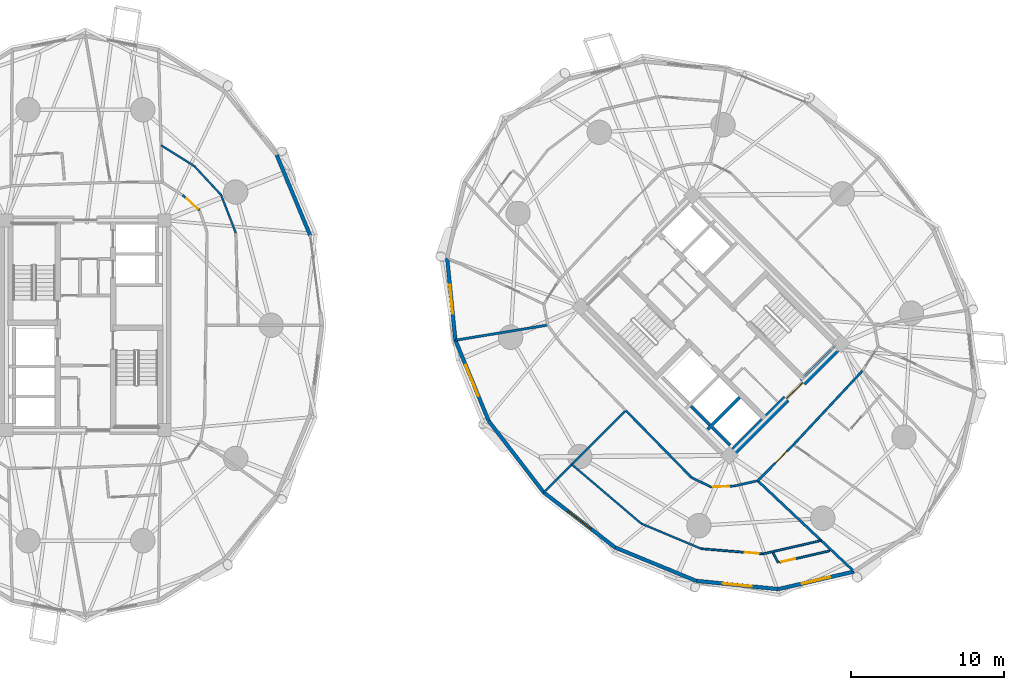
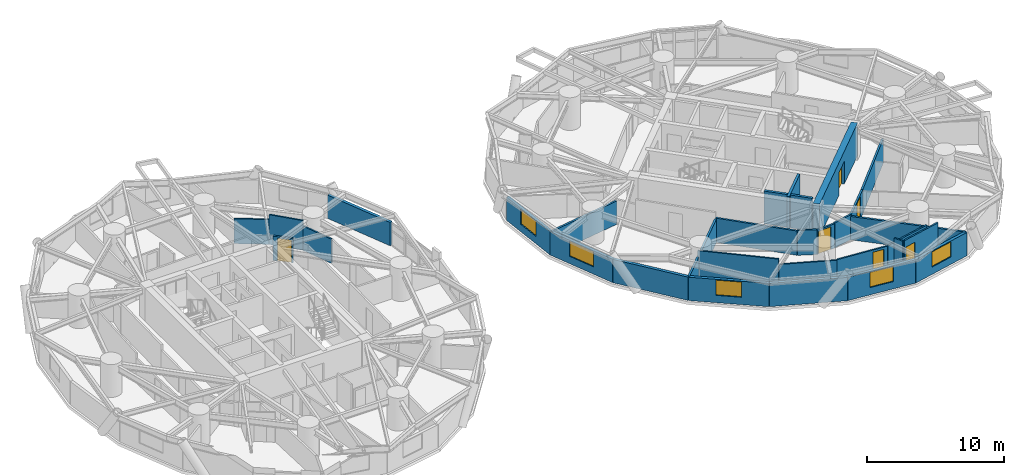
# One storey, part 12 of 18: 31 walls, 6 doors, 5 windows, 11 openings.
"""IFC4 building model written with IfcOpenShell, lengths in metres."""

from ifc_helpers import new_model, si_unit, direction, frame, frame_2d, origin, place, context, subcontext, project, spatial, rectangle, extrude, source, transform, mapped, material, layer, layer_set, type_object, element, fill, save


model = new_model("IFC4")

# Units and contexts
model_context = context("Model", 3, precision=1e-05, world=origin(), true_north=direction((0.0, 1.0)))
body_context = subcontext(model_context, "Body", "Model", "MODEL_VIEW")
ifc_project = project(units=[si_unit("LENGTHUNIT", "METRE"), si_unit("AREAUNIT", "SQUARE_METRE"), si_unit("VOLUMEUNIT", "CUBIC_METRE"), si_unit("PLANEANGLEUNIT", "RADIAN"), si_unit("MASSUNIT", "GRAM", prefix="KILO")], contexts=[model_context])

# Site, building, storey
site_placement = place(None, origin())
site = spatial("IfcSite", under=ifc_project, at=site_placement, CompositionType="ELEMENT")
building_placement = place(site_placement, origin())
building = spatial("IfcBuilding", under=site, at=building_placement, Name="Cununo Teusaquillo Station Towers", CompositionType="ELEMENT")
storey_placement = place(building_placement, frame((0.0, 0.0, 45.280029296875)))
storey = spatial("IfcBuildingStorey", under=building, at=storey_placement, Name="L13", CompositionType="ELEMENT", Elevation=45.280029296875)

# Walls
ifc_material_1 = material(Name="Concrete C50/60", Category="concrete")
ifc_layer_1 = layer(ifc_material_1, 0.199951171875)
ifc_layer_set_1 = layer_set([ifc_layer_1], Name="Concrete C50/60")
wall_type_1 = type_object("IfcWallType", Name="WL-CORE-200", PredefinedType="SHEAR", material=ifc_layer_set_1)
wall_1_placement = place(storey_placement, frame((57.2841796875, 17.6728515625, 0.0), z_axis=(0.0, 0.0, 1.0), x_axis=(0.707147878904, 0.70706568108, 0.0)))
element("IfcWall", 1, at=wall_1_placement, inside=storey, type_object=wall_type_1, Name="L13 Tower B High-Rise Lift Hoistway Divider Shear Wall", PredefinedType="SHEAR", context=body_context, shape_type="SweptSolid", body=[
    extrude(rectangle(XDim=2.97021484375, YDim=0.199951171875, at=frame_2d((1.485107421875, 0.0))), origin(), (0.0, 0.0, 1.0), 2.909912109375),
])
wall_2_placement = place(storey_placement, frame((57.41162109375, 17.969970703125, 0.0), z_axis=(0.0, 0.0, 1.0), x_axis=(-0.707106781187, 0.707106781187, 0.0)))
element("IfcWall", 2, at=wall_2_placement, inside=storey, type_object=wall_type_1, Name="L13 Tower B High-Rise Lift 2 Shaft Rear Shear Wall", PredefinedType="SHEAR", context=body_context, shape_type="SweptSolid", body=[
    extrude(rectangle(XDim=1.73486328125, YDim=0.199951171875, at=frame_2d((0.867431640625, 0.0))), origin(), (0.0, 0.0, 1.0), 2.909912109375),
])
wall_3_placement = place(storey_placement, frame((58.7373046875, 16.64404296875, 0.0), z_axis=(0.0, 0.0, 1.0), x_axis=(-0.707032117043, 0.707181437447, 0.0)))
element("IfcWall", 3, at=wall_3_placement, inside=storey, type_object=wall_type_1, Name="L13 Tower B High-Rise Lift 1 Shaft Rear Shear Wall", PredefinedType="SHEAR", context=body_context, shape_type="SweptSolid", body=[
    extrude(rectangle(XDim=1.635009765625, YDim=0.199951171875, at=frame_2d((0.8173828125, 0.0))), origin(), (0.0, 0.0, 1.0), 2.909912109375),
])

# Wall, opening, door
ifc_material_2 = material(Name="Concrete C60/75", Category="concrete")
ifc_layer_2 = layer(ifc_material_2, 0.5)
ifc_layer_set_2 = layer_set([ifc_layer_2], Name="Concrete C60/75")
wall_type_2 = type_object("IfcWallType", Name="WL-CORE-500", PredefinedType="SHEAR", material=ifc_layer_set_2)
wall_4_placement = place(storey_placement, frame((58.595947265625, 15.837890625, 0.0), z_axis=(0.0, 0.0, 1.0), x_axis=(0.707106781187, 0.707106781187, 0.0)))
wall_4 = element("IfcWall", 4, at=wall_4_placement, inside=storey, type_object=wall_type_2, Name="L13 Tower B Core Shear Wall S", PredefinedType="SHEAR", context=body_context, shape_type="SweptSolid", body=[
    extrude(rectangle(XDim=10.7001953125, YDim=0.5, at=frame_2d((5.35009765625, 0.0))), origin(), (0.0, 0.0, 1.0), 2.909912109375),
])
shared_shape_1 = source(origin(), body_context, "Body", "SweptSolid", [
    extrude(rectangle(XDim=1.5, YDim=2.02001953125, at=frame_2d((0.75, 1.010009765625))), frame((0.0, 0.260009765625, 0.0), z_axis=(0.0, -1.0, 0.0), x_axis=(1.0, 0.0, 0.0)), (0.0, 0.0, 1.0), 0.52001953125),
])
opening_1_placement = place(wall_4_placement, frame((5.449951171875, 0.0, 0.0)))
opening_1 = element("IfcOpeningElement", 5, at=opening_1_placement, cuts=wall_4, Name="Opening D-LB1", PredefinedType="OPENING", context=body_context, shape_type="MappedRepresentation", body=[
    mapped(shared_shape_1, transform((0.0, 0.0, 0.0), x_axis=(1.0, 0.0, 0.0), y_axis=(0.0, 1.0, 0.0), z_axis=(0.0, 0.0, 1.0), scale=1.0)),
])
ifc_material_3 = material(Name="Galvanised fire-rated hollow steel door assembly", Category="steel")
door_type_1 = type_object("IfcDoorType", Name="DR-LOBBY-1500", OperationType="DOUBLE_DOOR_SINGLE_SWING", PredefinedType="DOOR", material=ifc_material_3)
shared_shape_2 = source(origin(), body_context, "Body", "SweptSolid", [
    extrude(rectangle(XDim=1.5, YDim=2.02001953125, at=frame_2d((0.75, 1.010009765625))), frame((0.0, 0.02490234375, 0.0), z_axis=(0.0, -1.0, 0.0), x_axis=(1.0, 0.0, 0.0)), (0.0, 0.0, 1.0), 0.050048828125),
])
door_1_placement = place(opening_1_placement, origin())
door_1 = element("IfcDoor", 6, at=door_1_placement, inside=storey, type_object=door_type_1, Name="L13 Tower B South Core Lift Lobby Door", OperationType="DOUBLE_DOOR_SINGLE_SWING", OverallHeight=2.02001953125, OverallWidth=1.5, PredefinedType="DOOR", context=body_context, shape_type="MappedRepresentation", body=[
    mapped(shared_shape_2, transform((0.0, 0.0, 0.0), x_axis=(1.0, 0.0, 0.0), y_axis=(0.0, 1.0, 0.0), z_axis=(0.0, 0.0, 1.0), scale=1.0)),
])
fill(opening_1, door_1)

# Wall
ifc_material_4 = material(Name="Precast concrete C40/50", Category="concrete")
ifc_layer_3 = layer(ifc_material_4, 0.239990234375)
ifc_layer_set_3 = layer_set([ifc_layer_3], Name="Precast concrete C40/50")
wall_type_3 = type_object("IfcWallType", Name="WL-EXT-240", PredefinedType="SOLIDWALL", material=ifc_layer_set_3)
wall_5_placement = place(storey_placement, frame((29.0390625, 35.650390625, 0.0), z_axis=(0.0, 0.0, 1.0), x_axis=(0.38430970593, -0.923204229804, 0.0)))
element("IfcWall", 7, at=wall_5_placement, inside=storey, type_object=wall_type_3, Name="L13 Tower A Exterior Facade Wall C01", PredefinedType="SOLIDWALL", context=body_context, shape_type="SweptSolid", body=[
    extrude(rectangle(XDim=5.728271484375, YDim=0.239990234375, at=frame_2d((2.8642578125, 0.0))), origin(), (0.0, 0.0, 1.0), 2.072998046875),
])

# Wall, opening, window
wall_6_placement = place(storey_placement, frame((40.7490234375, 23.51806640625, 0.0), z_axis=(0.0, 0.0, 1.0), x_axis=(-0.100190592135, 0.994968263437, 0.0)))
wall_6 = element("IfcWall", 8, at=wall_6_placement, inside=storey, type_object=wall_type_3, Name="L13 Tower B Exterior Facade Wall C07", PredefinedType="SOLIDWALL", context=body_context, shape_type="SweptSolid", body=[
    extrude(rectangle(XDim=5.41943359375, YDim=0.239990234375, at=frame_2d((2.709716796875, 0.0))), origin(), (0.0, 0.0, 1.0), 2.072998046875),
])
shared_shape_3 = source(origin(), body_context, "Body", "SweptSolid", [
    extrude(rectangle(XDim=1.89990234375, YDim=1.35009765625, at=frame_2d((0.949951171875, 0.675048828125))), frame((0.0, 0.1298828125, 0.0), z_axis=(0.0, -1.0, 0.0), x_axis=(1.0, 0.0, 0.0)), (0.0, 0.0, 1.0), 0.260009765625),
])
opening_2_placement = place(wall_6_placement, frame((1.760009765625, 0.0, 0.64990234375)))
opening_2 = element("IfcOpeningElement", 9, at=opening_2_placement, cuts=wall_6, Name="Opening WN-02", PredefinedType="OPENING", context=body_context, shape_type="MappedRepresentation", body=[
    mapped(shared_shape_3, transform((0.0, 0.0, 0.0), x_axis=(1.0, 0.0, 0.0), y_axis=(0.0, 1.0, 0.0), z_axis=(0.0, 0.0, 1.0), scale=1.0)),
])
ifc_material_5 = material(Name="Operable acoustic tinted low-E double glazing", Category="glass")
window_type_1 = type_object("IfcWindowType", Name="WIN-OPER-1900", PartitioningType="DOUBLE_PANEL_VERTICAL", PredefinedType="WINDOW", material=ifc_material_5)
shared_shape_4 = source(origin(), body_context, "Body", "SweptSolid", [
    extrude(rectangle(XDim=1.89990234375, YDim=1.35009765625, at=frame_2d((0.949951171875, 0.675048828125))), frame((0.0, 0.030029296875, 0.0), z_axis=(0.0, -1.0, 0.0), x_axis=(1.0, 0.0, 0.0)), (0.0, 0.0, 1.0), 0.06005859375),
])
window_1_placement = place(opening_2_placement, origin())
window_1 = element("IfcWindow", 10, at=window_1_placement, inside=storey, type_object=window_type_1, Name="L13 Tower B Facade Window C07", OverallHeight=1.35009765625, OverallWidth=1.89990234375, PartitioningType="DOUBLE_PANEL_VERTICAL", PredefinedType="WINDOW", context=body_context, shape_type="MappedRepresentation", body=[
    mapped(shared_shape_4, transform((0.0, 0.0, 0.0), x_axis=(1.0, 0.0, 0.0), y_axis=(0.0, 1.0, 0.0), z_axis=(0.0, 0.0, 1.0), scale=1.0)),
])
fill(opening_2, window_1)

wall_7_placement = place(storey_placement, frame((42.931884765625, 18.22216796875, 0.0), z_axis=(0.0, 0.0, 1.0), x_axis=(-0.381077764176, 0.924542988536, 0.0)))
wall_7 = element("IfcWall", 11, at=wall_7_placement, inside=storey, type_object=wall_type_3, Name="L13 Tower B Exterior Facade Wall C08", PredefinedType="SOLIDWALL", context=body_context, shape_type="SweptSolid", body=[
    extrude(rectangle(XDim=5.72802734375, YDim=0.239990234375, at=frame_2d((2.864013671875, 0.0))), origin(), (0.0, 0.0, 1.0), 2.072998046875),
])
shared_shape_5 = source(origin(), body_context, "Body", "SweptSolid", [
    extrude(rectangle(XDim=2.199951171875, YDim=1.35009765625, at=frame_2d((1.10009765625, 0.675048828125))), frame((0.0, 0.1298828125, 0.0), z_axis=(0.0, -1.0, 0.0), x_axis=(1.0, 0.0, 0.0)), (0.0, 0.0, 1.0), 0.260009765625),
])
opening_3_placement = place(wall_7_placement, frame((1.763916015625, 0.0, 0.64990234375)))
opening_3 = element("IfcOpeningElement", 12, at=opening_3_placement, cuts=wall_7, Name="Opening WN-01", PredefinedType="OPENING", context=body_context, shape_type="MappedRepresentation", body=[
    mapped(shared_shape_5, transform((0.0, 0.0, 0.0), x_axis=(1.0, 0.0, 0.0), y_axis=(0.0, 1.0, 0.0), z_axis=(0.0, 0.0, 1.0), scale=1.0)),
])
ifc_material_6 = material(Name="Ceramic-fritted dark low-E double glazing", Category="glass")
window_type_2 = type_object("IfcWindowType", Name="WIN-FRIT-2200", PartitioningType="DOUBLE_PANEL_VERTICAL", PredefinedType="WINDOW", material=ifc_material_6)
shared_shape_6 = source(origin(), body_context, "Body", "SweptSolid", [
    extrude(rectangle(XDim=2.199951171875, YDim=1.35009765625, at=frame_2d((1.10009765625, 0.675048828125))), frame((0.0, 0.030029296875, 0.0), z_axis=(0.0, -1.0, 0.0), x_axis=(1.0, 0.0, 0.0)), (0.0, 0.0, 1.0), 0.06005859375),
])
window_2_placement = place(opening_3_placement, origin())
window_2 = element("IfcWindow", 13, at=window_2_placement, inside=storey, type_object=window_type_2, Name="L13 Tower B Facade Window C08", OverallHeight=1.35009765625, OverallWidth=2.199951171875, PartitioningType="DOUBLE_PANEL_VERTICAL", PredefinedType="WINDOW", context=body_context, shape_type="MappedRepresentation", body=[
    mapped(shared_shape_6, transform((0.0, 0.0, 0.0), x_axis=(1.0, 0.0, 0.0), y_axis=(0.0, 1.0, 0.0), z_axis=(0.0, 0.0, 1.0), scale=1.0)),
])
fill(opening_3, window_2)

# Wall
wall_8_placement = place(storey_placement, frame((46.54052734375, 13.54052734375, 0.0), z_axis=(0.0, 0.0, 1.0), x_axis=(-0.610494906082, 0.792020182601, 0.0)))
element("IfcWall", 14, at=wall_8_placement, inside=storey, type_object=wall_type_3, Name="L13 Tower B Exterior Facade Wall C09", PredefinedType="SOLIDWALL", context=body_context, shape_type="SweptSolid", body=[
    extrude(rectangle(XDim=5.9111328125, YDim=0.239990234375, at=frame_2d((2.95556640625, 0.0))), origin(), (0.0, 0.0, 1.0), 2.072998046875),
])

# Wall, opening, window
wall_9_placement = place(storey_placement, frame((51.22216796875, 9.931884765625, 0.0), z_axis=(0.0, 0.0, 1.0), x_axis=(-0.792020182601, 0.610494906082, 0.0)))
wall_9 = element("IfcWall", 15, at=wall_9_placement, inside=storey, type_object=wall_type_3, Name="L13 Tower B Exterior Facade Wall C10", PredefinedType="SOLIDWALL", context=body_context, shape_type="SweptSolid", body=[
    extrude(rectangle(XDim=5.9111328125, YDim=0.239990234375, at=frame_2d((2.95556640625, 0.0))), origin(), (0.0, 0.0, 1.0), 2.072998046875),
])
opening_4_placement = place(wall_9_placement, frame((2.0048828125, 0.0, 0.64990234375)))
opening_4 = element("IfcOpeningElement", 16, at=opening_4_placement, cuts=wall_9, Name="Opening WN-02", PredefinedType="OPENING", context=body_context, shape_type="MappedRepresentation", body=[
    mapped(shared_shape_3, transform((0.0, 0.0, 0.0), x_axis=(1.0, 0.0, 0.0), y_axis=(0.0, 1.0, 0.0), z_axis=(0.0, 0.0, 1.0), scale=1.0)),
])
window_3_placement = place(opening_4_placement, origin())
window_3 = element("IfcWindow", 17, at=window_3_placement, inside=storey, type_object=window_type_1, Name="L13 Tower B Facade Window C10", OverallHeight=1.35009765625, OverallWidth=1.89990234375, PartitioningType="DOUBLE_PANEL_VERTICAL", PredefinedType="WINDOW", context=body_context, shape_type="MappedRepresentation", body=[
    mapped(shared_shape_4, transform((0.0, 0.0, 0.0), x_axis=(1.0, 0.0, 0.0), y_axis=(0.0, 1.0, 0.0), z_axis=(0.0, 0.0, 1.0), scale=1.0)),
])
fill(opening_4, window_3)

# Wall
wall_10_placement = place(storey_placement, frame((56.51806640625, 7.7490234375, 0.0), z_axis=(0.0, 0.0, 1.0), x_axis=(-0.924542988536, 0.381077764176, 0.0)))
element("IfcWall", 18, at=wall_10_placement, inside=storey, type_object=wall_type_3, Name="L13 Tower B Exterior Facade Wall C11", PredefinedType="SOLIDWALL", context=body_context, shape_type="SweptSolid", body=[
    extrude(rectangle(XDim=5.72802734375, YDim=0.239990234375, at=frame_2d((2.864013671875, 0.0))), origin(), (0.0, 0.0, 1.0), 2.072998046875),
])

# Wall, opening, window
wall_11_placement = place(storey_placement, frame((61.91015625, 7.2060546875, 0.0), z_axis=(0.0, 0.0, 1.0), x_axis=(-0.994968263437, 0.100190592135, 0.0)))
wall_11 = element("IfcWall", 19, at=wall_11_placement, inside=storey, type_object=wall_type_3, Name="L13 Tower B Exterior Facade Wall C12", PredefinedType="SOLIDWALL", context=body_context, shape_type="SweptSolid", body=[
    extrude(rectangle(XDim=5.41943359375, YDim=0.239990234375, at=frame_2d((2.709716796875, 0.0))), origin(), (0.0, 0.0, 1.0), 2.072998046875),
])
opening_5_placement = place(wall_11_placement, frame((1.760009765625, 0.0, 0.64990234375)))
opening_5 = element("IfcOpeningElement", 20, at=opening_5_placement, cuts=wall_11, Name="Opening WN-02", PredefinedType="OPENING", context=body_context, shape_type="MappedRepresentation", body=[
    mapped(shared_shape_3, transform((0.0, 0.0, 0.0), x_axis=(1.0, 0.0, 0.0), y_axis=(0.0, 1.0, 0.0), z_axis=(0.0, 0.0, 1.0), scale=1.0)),
])
window_4_placement = place(opening_5_placement, origin())
window_4 = element("IfcWindow", 21, at=window_4_placement, inside=storey, type_object=window_type_1, Name="L13 Tower B Facade Window C12", OverallHeight=1.35009765625, OverallWidth=1.89990234375, PartitioningType="DOUBLE_PANEL_VERTICAL", PredefinedType="WINDOW", context=body_context, shape_type="MappedRepresentation", body=[
    mapped(shared_shape_4, transform((0.0, 0.0, 0.0), x_axis=(1.0, 0.0, 0.0), y_axis=(0.0, 1.0, 0.0), z_axis=(0.0, 0.0, 1.0), scale=1.0)),
])
fill(opening_5, window_4)

wall_12_placement = place(storey_placement, frame((66.87060546875, 8.35595703125, 0.0), z_axis=(0.0, 0.0, 1.0), x_axis=(-0.974167686491, -0.22582585901, 0.0)))
wall_12 = element("IfcWall", 22, at=wall_12_placement, inside=storey, type_object=wall_type_3, Name="L13 Tower B Exterior Facade Wall C13", PredefinedType="SOLIDWALL", context=body_context, shape_type="SweptSolid", body=[
    extrude(rectangle(XDim=5.092041015625, YDim=0.239990234375, at=frame_2d((2.5458984375, 0.0))), origin(), (0.0, 0.0, 1.0), 2.072998046875),
])
opening_6_placement = place(wall_12_placement, frame((1.595947265625, 0.0, 0.64990234375)))
opening_6 = element("IfcOpeningElement", 23, at=opening_6_placement, cuts=wall_12, Name="Opening WN-02", PredefinedType="OPENING", context=body_context, shape_type="MappedRepresentation", body=[
    mapped(shared_shape_3, transform((0.0, 0.0, 0.0), x_axis=(1.0, 0.0, 0.0), y_axis=(0.0, 1.0, 0.0), z_axis=(0.0, 0.0, 1.0), scale=1.0)),
])
window_5_placement = place(opening_6_placement, origin())
window_5 = element("IfcWindow", 24, at=window_5_placement, inside=storey, type_object=window_type_1, Name="L13 Tower B Facade Window C13", OverallHeight=1.35009765625, OverallWidth=1.89990234375, PartitioningType="DOUBLE_PANEL_VERTICAL", PredefinedType="WINDOW", context=body_context, shape_type="MappedRepresentation", body=[
    mapped(shared_shape_4, transform((0.0, 0.0, 0.0), x_axis=(1.0, 0.0, 0.0), y_axis=(0.0, 1.0, 0.0), z_axis=(0.0, 0.0, 1.0), scale=1.0)),
])
fill(opening_6, window_5)

# Walls
ifc_material_7 = material(Name="Fire-rated gypsum plasterboard partition assembly", Category="gypsum")
ifc_layer_4 = layer(ifc_material_7, 0.125)
ifc_layer_set_4 = layer_set([ifc_layer_4], Name="Fire-rated gypsum plasterboard partition assembly")
wall_type_4 = type_object("IfcWallType", Name="WL-PART-125", PredefinedType="PARTITIONING", material=ifc_layer_set_4)
wall_13_placement = place(storey_placement, frame((26.359619140625, 30.541748046875, 0.0), z_axis=(0.0, 0.0, 1.0), x_axis=(-0.361464762384, 0.932385770781, 0.0)))
element("IfcWall", 25, at=wall_13_placement, inside=storey, type_object=wall_type_4, Name="L13 Tower A Hotel Grand Dining & Tea Lounge Concentric Partition Wall C01", PredefinedType="PARTITIONING", context=body_context, shape_type="SweptSolid", body=[
    extrude(rectangle(XDim=2.67724609375, YDim=0.125, at=frame_2d((1.338623046875, 0.0))), origin(), (0.0, 0.0, 1.0), 2.158935546875),
])
wall_14_placement = place(storey_placement, frame((25.391845703125, 33.0380859375, 0.0), z_axis=(0.0, 0.0, 1.0), x_axis=(-0.67989141147, 0.733312804068, 0.0)))
element("IfcWall", 26, at=wall_14_placement, inside=storey, type_object=wall_type_4, Name="L13 Tower A Hotel Grand Dining & Tea Lounge Concentric Partition Wall C02", PredefinedType="PARTITIONING", context=body_context, shape_type="SweptSolid", body=[
    extrude(rectangle(XDim=2.57763671875, YDim=0.125, at=frame_2d((1.288818359375, 0.0))), origin(), (0.0, 0.0, 1.0), 2.635009765625),
])
wall_15_placement = place(storey_placement, frame((23.639404296875, 34.92822265625, 0.0), z_axis=(0.0, 0.0, 1.0), x_axis=(-0.847294097071, 0.531124009125, 0.0)))
element("IfcWall", 27, at=wall_15_placement, inside=storey, type_object=wall_type_4, Name="L13 Tower A Hotel Grand Dining & Tea Lounge Concentric Partition Wall C03", PredefinedType="PARTITIONING", context=body_context, shape_type="SweptSolid", body=[
    extrude(rectangle(XDim=2.57373046875, YDim=0.125, at=frame_2d((1.286865234375, 0.0))), origin(), (0.0, 0.0, 1.0), 2.205078125),
])
wall_16_placement = place(storey_placement, frame((48.376708984375, 15.376708984375, 0.0), z_axis=(0.0, 0.0, 1.0), x_axis=(0.761505943152, -0.648157927163, 0.0)))
element("IfcWall", 28, at=wall_16_placement, inside=storey, type_object=wall_type_4, Name="L13 Tower B Imperial Corner Hotel Suite Concentric Partition Wall C10", PredefinedType="PARTITIONING", context=body_context, shape_type="SweptSolid", body=[
    extrude(rectangle(XDim=5.979248046875, YDim=0.125, at=frame_2d((2.98974609375, 0.0))), origin(), (0.0, 0.0, 1.0), 2.635009765625),
])
wall_17_placement = place(storey_placement, frame((52.929931640625, 11.501220703125, 0.0), z_axis=(0.0, 0.0, 1.0), x_axis=(0.922051248037, -0.387067818338, 0.0)))
element("IfcWall", 29, at=wall_17_placement, inside=storey, type_object=wall_type_4, Name="L13 Tower B Imperial Corner Hotel Suite Concentric Partition Wall C11", PredefinedType="PARTITIONING", context=body_context, shape_type="SweptSolid", body=[
    extrude(rectangle(XDim=4.260009765625, YDim=0.125, at=frame_2d((2.1298828125, 0.0))), origin(), (0.0, 0.0, 1.0), 2.158935546875),
])

# Wall, opening, door
wall_18_placement = place(storey_placement, frame((56.85791015625, 9.852294921875, 0.0), z_axis=(0.0, 0.0, 1.0), x_axis=(0.996604967548, -0.082331881181, 0.0)))
wall_18 = element("IfcWall", 30, at=wall_18_placement, inside=storey, type_object=wall_type_4, Name="L13 Tower B Imperial Corner Hotel Suite Concentric Partition Wall C12", PredefinedType="PARTITIONING", context=body_context, shape_type="SweptSolid", body=[
    extrude(rectangle(XDim=4.077392578125, YDim=0.125, at=frame_2d((2.03857421875, 0.0))), origin(), (0.0, 0.0, 1.0), 2.205078125),
])
shared_shape_7 = source(origin(), body_context, "Body", "SweptSolid", [
    extrude(rectangle(XDim=0.89990234375, YDim=2.0048828125, at=frame_2d((0.449951171875, 1.00244140625))), frame((0.0, 0.072509765625, 0.0), z_axis=(0.0, -1.0, 0.0), x_axis=(1.0, 0.0, 0.0)), (0.0, 0.0, 1.0), 0.14501953125),
])
opening_7_placement = place(wall_18_placement, frame((2.873779296875, 0.0, 0.0)))
opening_7 = element("IfcOpeningElement", 31, at=opening_7_placement, cuts=wall_18, Name="Opening D-IN1", PredefinedType="OPENING", context=body_context, shape_type="MappedRepresentation", body=[
    mapped(shared_shape_7, transform((0.0, 0.0, 0.0), x_axis=(1.0, 0.0, 0.0), y_axis=(0.0, 1.0, 0.0), z_axis=(0.0, 0.0, 1.0), scale=1.0)),
])
ifc_material_8 = material(Name="Acoustic solid-core hardwood leaf assembly", Category="wood")
door_type_2 = type_object("IfcDoorType", Name="DR-INT-900", OperationType="NOTDEFINED", PredefinedType="DOOR", material=ifc_material_8)
shared_shape_8 = source(origin(), body_context, "Body", "SweptSolid", [
    extrude(rectangle(XDim=0.89990234375, YDim=2.0048828125, at=frame_2d((0.449951171875, 1.00244140625))), frame((0.0, 0.02490234375, 0.0), z_axis=(0.0, -1.0, 0.0), x_axis=(1.0, 0.0, 0.0)), (0.0, 0.0, 1.0), 0.050048828125),
])
door_2_placement = place(opening_7_placement, origin())
door_2 = element("IfcDoor", 32, at=door_2_placement, inside=storey, type_object=door_type_2, Name="L13 Tower B Imperial Corner Hotel Suite Connecting Door", OperationType="SINGLE_SWING_RIGHT", OverallHeight=2.0048828125, OverallWidth=0.89990234375, PredefinedType="DOOR", context=body_context, shape_type="MappedRepresentation", body=[
    mapped(shared_shape_8, transform((0.0, 0.0, 0.0), x_axis=(1.0, 0.0, 0.0), y_axis=(0.0, 1.0, 0.0), z_axis=(0.0, 0.0, 1.0), scale=1.0)),
])
fill(opening_7, door_2)

# Walls
wall_19_placement = place(storey_placement, frame((60.92138671875, 9.5166015625, 0.0), z_axis=(0.0, 0.0, 1.0), x_axis=(0.974453436038, 0.224589627973, 0.0)))
element("IfcWall", 33, at=wall_19_placement, inside=storey, type_object=wall_type_4, Name="L13 Tower B Imperial Corner Hotel Suite Concentric Partition Wall C13", PredefinedType="PARTITIONING", context=body_context, shape_type="SweptSolid", body=[
    extrude(rectangle(XDim=3.898193359375, YDim=0.125, at=frame_2d((1.94921875, 0.0))), origin(), (0.0, 0.0, 1.0), 2.205078125),
])
wall_20_placement = place(storey_placement, frame((61.564208984375, 9.589111328125, 0.0), z_axis=(0.0, 0.0, 1.0), x_axis=(0.462168536246, -0.886792108729, 0.0)))
element("IfcWall", 34, at=wall_20_placement, inside=storey, type_object=wall_type_4, Name="L13 Tower B S04 En-suite Side Wall", PredefinedType="PARTITIONING", context=body_context, shape_type="SweptSolid", body=[
    extrude(rectangle(XDim=0.73486328125, YDim=0.125, at=frame_2d((0.367431640625, 0.0))), origin(), (0.0, 0.0, 1.0), 2.635009765625),
])

# Wall, opening, door
wall_21_placement = place(storey_placement, frame((62.0078125, 8.961669921875, 0.0), z_axis=(0.0, 0.0, 1.0), x_axis=(0.974365294983, 0.224971713626, 0.0)))
wall_21 = element("IfcWall", 35, at=wall_21_placement, inside=storey, type_object=wall_type_4, Name="L13 Tower B S04 En-suite Back Wall", PredefinedType="PARTITIONING", context=body_context, shape_type="SweptSolid", body=[
    extrude(rectangle(XDim=3.3369140625, YDim=0.125, at=frame_2d((1.66845703125, 0.0))), origin(), (0.0, 0.0, 1.0), 2.635009765625),
])
opening_8_placement = place(wall_21_placement, frame((0.1201171875, 0.0, 0.0)))
opening_8 = element("IfcOpeningElement", 36, at=opening_8_placement, cuts=wall_21, Name="Opening D-IN1", PredefinedType="OPENING", context=body_context, shape_type="MappedRepresentation", body=[
    mapped(shared_shape_7, transform((0.0, 0.0, 0.0), x_axis=(1.0, 0.0, 0.0), y_axis=(0.0, 1.0, 0.0), z_axis=(0.0, 0.0, 1.0), scale=1.0)),
])
door_3_placement = place(opening_8_placement, origin())
door_3 = element("IfcDoor", 37, at=door_3_placement, inside=storey, type_object=door_type_2, Name="L13 Tower B S04 En-suite Bathroom Door", OperationType="SINGLE_SWING_LEFT", OverallHeight=2.0048828125, OverallWidth=0.89990234375, PredefinedType="DOOR", context=body_context, shape_type="MappedRepresentation", body=[
    mapped(shared_shape_8, transform((0.0, 0.0, 0.0), x_axis=(1.0, 0.0, 0.0), y_axis=(0.0, 1.0, 0.0), z_axis=(0.0, 0.0, 1.0), scale=1.0)),
])
fill(opening_8, door_3)

ifc_material_9 = material(Name="Fire-rated gypsum plasterboard partition assembly", Category="gypsum")
ifc_layer_5 = layer(ifc_material_9, 0.14990234375)
ifc_layer_set_5 = layer_set([ifc_layer_5], Name="Fire-rated gypsum plasterboard partition assembly")
wall_type_5 = type_object("IfcWallType", Name="WL-PART-150", PredefinedType="PARTITIONING", material=ifc_layer_set_5)
wall_22_placement = place(storey_placement, frame((23.979736328125, 32.02685546875, 0.0), z_axis=(0.0, 0.0, 1.0), x_axis=(-0.742353224332, 0.670008724065, 0.0)))
wall_22 = element("IfcWall", 38, at=wall_22_placement, inside=storey, type_object=wall_type_5, Name="L13 Tower A Corridor Ring Wall C02", PredefinedType="PARTITIONING", context=body_context, shape_type="SweptSolid", body=[
    extrude(rectangle(XDim=1.48486328125, YDim=0.14990234375, at=frame_2d((0.742431640625, 0.0))), origin(), (0.0, 0.0, 1.0), 2.158935546875),
])
shared_shape_9 = source(origin(), body_context, "Body", "SweptSolid", [
    extrude(rectangle(XDim=1.050048828125, YDim=2.014892578125, at=frame_2d((0.52490234375, 1.00732421875))), frame((0.0, 0.0849609375, 0.0), z_axis=(0.0, -1.0, 0.0), x_axis=(1.0, 0.0, 0.0)), (0.0, 0.0, 1.0), 0.169921875),
])
opening_9_placement = place(wall_22_placement, frame((0.1201171875, 0.0, 0.0)))
opening_9 = element("IfcOpeningElement", 39, at=opening_9_placement, cuts=wall_22, Name="Opening D-SU1", PredefinedType="OPENING", context=body_context, shape_type="MappedRepresentation", body=[
    mapped(shared_shape_9, transform((0.0, 0.0, 0.0), x_axis=(1.0, 0.0, 0.0), y_axis=(0.0, 1.0, 0.0), z_axis=(0.0, 0.0, 1.0), scale=1.0)),
])
ifc_material_10 = material(Name="Acoustic solid-core hardwood leaf assembly", Category="wood")
door_type_3 = type_object("IfcDoorType", Name="DR-SUITE-1050", OperationType="NOTDEFINED", PredefinedType="DOOR", material=ifc_material_10)
shared_shape_10 = source(origin(), body_context, "Body", "SweptSolid", [
    extrude(rectangle(XDim=1.050048828125, YDim=2.014892578125, at=frame_2d((0.52490234375, 1.00732421875))), frame((0.0, 0.02490234375, 0.0), z_axis=(0.0, -1.0, 0.0), x_axis=(1.0, 0.0, 0.0)), (0.0, 0.0, 1.0), 0.050048828125),
])
door_4_placement = place(opening_9_placement, origin())
door_4 = element("IfcDoor", 40, at=door_4_placement, inside=storey, type_object=door_type_3, Name="L13 Tower A Hotel Grand Dining & Tea Lounge Entrance Door", OperationType="SINGLE_SWING_LEFT", OverallHeight=2.014892578125, OverallWidth=1.050048828125, PredefinedType="DOOR", context=body_context, shape_type="MappedRepresentation", body=[
    mapped(shared_shape_10, transform((0.0, 0.0, 0.0), x_axis=(1.0, 0.0, 0.0), y_axis=(0.0, 1.0, 0.0), z_axis=(0.0, 0.0, 1.0), scale=1.0)),
])
fill(opening_9, door_4)

# Walls
wall_23_placement = place(storey_placement, frame((51.913818359375, 18.913818359375, 0.0), z_axis=(0.0, 0.0, 1.0), x_axis=(0.699999313799, -0.714143515465, 0.0)))
element("IfcWall", 41, at=wall_23_placement, inside=storey, type_object=wall_type_5, Name="L13 Tower B Corridor Ring Wall C10", PredefinedType="PARTITIONING", context=body_context, shape_type="SweptSolid", body=[
    extrude(rectangle(XDim=6.162109375, YDim=0.14990234375, at=frame_2d((3.0810546875, 0.0))), origin(), (0.0, 0.0, 1.0), 2.158935546875),
])
wall_24_placement = place(storey_placement, frame((56.227294921875, 14.51318359375, 0.0), z_axis=(0.0, 0.0, 1.0), x_axis=(0.901477579283, -0.432825801044, 0.0)))
element("IfcWall", 42, at=wall_24_placement, inside=storey, type_object=wall_type_5, Name="L13 Tower B Corridor Ring Wall C11", PredefinedType="PARTITIONING", context=body_context, shape_type="SweptSolid", body=[
    extrude(rectangle(XDim=1.42431640625, YDim=0.14990234375, at=frame_2d((0.712158203125, 0.0))), origin(), (0.0, 0.0, 1.0), 2.205078125),
])

# Wall, opening, door
wall_25_placement = place(storey_placement, frame((57.51123046875, 13.896728515625, 0.0), z_axis=(0.0, 0.0, 1.0), x_axis=(0.999024538494, 0.044158481476, 0.0)))
wall_25 = element("IfcWall", 43, at=wall_25_placement, inside=storey, type_object=wall_type_5, Name="L13 Tower B Corridor Ring Wall C12", PredefinedType="PARTITIONING", context=body_context, shape_type="SweptSolid", body=[
    extrude(rectangle(XDim=1.498291015625, YDim=0.14990234375, at=frame_2d((0.7490234375, 0.0))), origin(), (0.0, 0.0, 1.0), 2.158935546875),
])
opening_10_placement = place(wall_25_placement, frame((0.1201171875, 0.0, 0.0)))
opening_10 = element("IfcOpeningElement", 44, at=opening_10_placement, cuts=wall_25, Name="Opening D-SU1", PredefinedType="OPENING", context=body_context, shape_type="MappedRepresentation", body=[
    mapped(shared_shape_9, transform((0.0, 0.0, 0.0), x_axis=(1.0, 0.0, 0.0), y_axis=(0.0, 1.0, 0.0), z_axis=(0.0, 0.0, 1.0), scale=1.0)),
])
door_5_placement = place(opening_10_placement, origin())
door_5 = element("IfcDoor", 45, at=door_5_placement, inside=storey, type_object=door_type_3, Name="L13 Tower B Imperial Corner Hotel Suite Entrance Door", OperationType="SINGLE_SWING_LEFT", OverallHeight=2.014892578125, OverallWidth=1.050048828125, PredefinedType="DOOR", context=body_context, shape_type="MappedRepresentation", body=[
    mapped(shared_shape_10, transform((0.0, 0.0, 0.0), x_axis=(1.0, 0.0, 0.0), y_axis=(0.0, 1.0, 0.0), z_axis=(0.0, 0.0, 1.0), scale=1.0)),
])
fill(opening_10, door_5)

# Wall
wall_26_placement = place(storey_placement, frame((59.008056640625, 13.962890625, 0.0), z_axis=(0.0, 0.0, 1.0), x_axis=(0.976020856791, 0.21767702476, 0.0)))
element("IfcWall", 46, at=wall_26_placement, inside=storey, type_object=wall_type_5, Name="L13 Tower B Corridor Ring Wall C13", PredefinedType="PARTITIONING", context=body_context, shape_type="SweptSolid", body=[
    extrude(rectangle(XDim=1.592529296875, YDim=0.14990234375, at=frame_2d((0.79638671875, 0.0))), origin(), (0.0, 0.0, 1.0), 2.205078125),
])

# Wall, opening, door
wall_27_placement = place(storey_placement, frame((60.5625, 14.3095703125, 0.0), z_axis=(0.0, 0.0, 1.0), x_axis=(0.704566236161, 0.709638230975, 0.0)))
wall_27 = element("IfcWall", 47, at=wall_27_placement, inside=storey, type_object=wall_type_5, Name="L13 Tower B Corridor Ring Wall C14", PredefinedType="PARTITIONING", context=body_context, shape_type="SweptSolid", body=[
    extrude(rectangle(XDim=3.3212890625, YDim=0.14990234375, at=frame_2d((1.66064453125, 0.0))), origin(), (0.0, 0.0, 1.0), 2.158935546875),
])
opening_11_placement = place(wall_27_placement, frame((1.643310546875, 0.0, 0.0)))
opening_11 = element("IfcOpeningElement", 48, at=opening_11_placement, cuts=wall_27, Name="Opening D-SU1", PredefinedType="OPENING", context=body_context, shape_type="MappedRepresentation", body=[
    mapped(shared_shape_9, transform((0.0, 0.0, 0.0), x_axis=(1.0, 0.0, 0.0), y_axis=(0.0, 1.0, 0.0), z_axis=(0.0, 0.0, 1.0), scale=1.0)),
])
door_6_placement = place(opening_11_placement, origin())
door_6 = element("IfcDoor", 49, at=door_6_placement, inside=storey, type_object=door_type_3, Name="L13 Tower B Governor Hospitality Suite Entrance Door", OperationType="SINGLE_SWING_RIGHT", OverallHeight=2.014892578125, OverallWidth=1.050048828125, PredefinedType="DOOR", context=body_context, shape_type="MappedRepresentation", body=[
    mapped(shared_shape_10, transform((0.0, 0.0, 0.0), x_axis=(1.0, 0.0, 0.0), y_axis=(0.0, 1.0, 0.0), z_axis=(0.0, 0.0, 1.0), scale=1.0)),
])
fill(opening_11, door_6)

# Walls
wall_28_placement = place(storey_placement, frame((62.902587890625, 16.66650390625, 0.0), z_axis=(0.0, 0.0, 1.0), x_axis=(0.682371947497, 0.731005147225, 0.0)))
element("IfcWall", 50, at=wall_28_placement, inside=storey, type_object=wall_type_5, Name="L13 Tower B Corridor Ring Wall C15", PredefinedType="PARTITIONING", context=body_context, shape_type="SweptSolid", body=[
    extrude(rectangle(XDim=6.6416015625, YDim=0.14990234375, at=frame_2d((3.32080078125, 0.0))), origin(), (0.0, 0.0, 1.0), 2.158935546875),
])
ifc_material_11 = material(Name="Fire-rated gypsum plasterboard partition assembly", Category="gypsum")
ifc_layer_6 = layer(ifc_material_11, 0.159912109375)
ifc_layer_set_6 = layer_set([ifc_layer_6], Name="Fire-rated gypsum plasterboard partition assembly")
wall_type_6 = type_object("IfcWallType", Name="WL-PART-160", PredefinedType="PARTITIONING", material=ifc_layer_set_6)
wall_29_placement = place(storey_placement, frame((46.79541015625, 24.512939453125, 0.0), z_axis=(0.0, 0.0, 1.0), x_axis=(-0.986729986004, -0.162369746937, 0.0)))
element("IfcWall", 51, at=wall_29_placement, inside=storey, type_object=wall_type_6, Name="L13 Tower B Radial Suite Partition R04", PredefinedType="PARTITIONING", context=body_context, shape_type="SweptSolid", body=[
    extrude(rectangle(XDim=6.107666015625, YDim=0.159912109375, at=frame_2d((3.0537109375, 0.0))), origin(), (0.0, 0.0, 1.0), 2.072998046875),
])
wall_30_placement = place(storey_placement, frame((51.913818359375, 18.913818359375, 0.0), z_axis=(0.0, 0.0, 1.0), x_axis=(-0.707106781187, -0.707106781187, 0.0)))
element("IfcWall", 52, at=wall_30_placement, inside=storey, type_object=wall_type_6, Name="L13 Tower B Radial Suite Partition R05", PredefinedType="PARTITIONING", context=body_context, shape_type="SweptSolid", body=[
    extrude(rectangle(XDim=7.578857421875, YDim=0.159912109375, at=frame_2d((3.78955078125, 0.0))), origin(), (0.0, 0.0, 1.0), 2.072998046875),
])
wall_31_placement = place(storey_placement, frame((60.5625, 14.3095703125, 0.0), z_axis=(0.0, 0.0, 1.0), x_axis=(0.727781661561, -0.685808904211, 0.0)))
element("IfcWall", 53, at=wall_31_placement, inside=storey, type_object=wall_type_6, Name="L13 Tower B Radial Suite Partition R06", PredefinedType="PARTITIONING", context=body_context, shape_type="SweptSolid", body=[
    extrude(rectangle(XDim=8.6552734375, YDim=0.159912109375, at=frame_2d((4.32763671875, 0.0))), origin(), (0.0, 0.0, 1.0), 2.072998046875),
])

save(model, "model.ifc")
